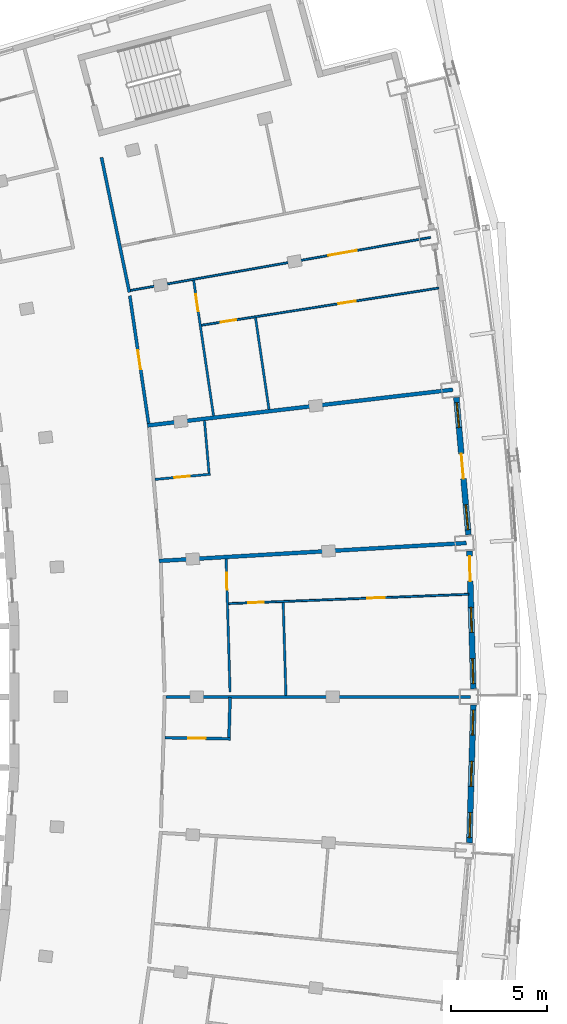
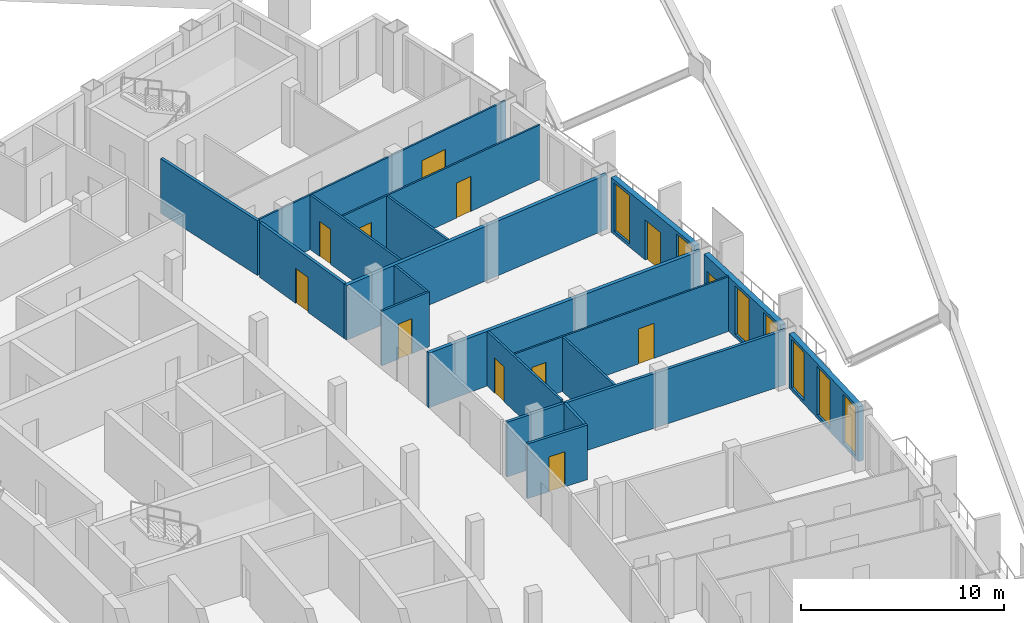
# One storey, part 12 of 16: 19 walls, 12 doors, 7 windows, 19 openings.
"""IFC4 building model written with IfcOpenShell, lengths in metres."""

from ifc_helpers import new_model, si_unit, direction, frame, frame_2d, origin, place, context, subcontext, project, spatial, rectangle, extrude, material, layer, layer_set, type_object, element, fill, save


model = new_model("IFC4")

# Units and contexts
model_context = context("Model", 3, precision=1e-05, world=origin(), true_north=direction((0.0, 1.0)))
body_context = subcontext(model_context, "Body", "Model", "MODEL_VIEW")
ifc_project = project(units=[si_unit("LENGTHUNIT", "METRE"), si_unit("AREAUNIT", "SQUARE_METRE"), si_unit("VOLUMEUNIT", "CUBIC_METRE"), si_unit("PLANEANGLEUNIT", "RADIAN"), si_unit("MASSUNIT", "GRAM", prefix="KILO")], contexts=[model_context])

# Site, building, storey
site_placement = place(None, origin())
site = spatial("IfcSite", under=ifc_project, at=site_placement, CompositionType="ELEMENT")
building_placement = place(site_placement, origin())
building = spatial("IfcBuilding", under=site, at=building_placement, Name="Alderwake Tower", CompositionType="ELEMENT")
storey_placement = place(building_placement, frame((0.0, 0.0, 245.60009765625)))
storey = spatial("IfcBuildingStorey", under=building, at=storey_placement, Name="L60", CompositionType="ELEMENT", Elevation=245.60009765625)

# Wall
ifc_material_1 = material(Name="Gypsum board on metal studs, rated")
ifc_layer_1 = layer(ifc_material_1, 0.159912109375)
ifc_layer_set_1 = layer_set([ifc_layer_1], Name="Corridor wall 160")
wall_type_1 = type_object("IfcWallType", Name="Corridor wall 160", PredefinedType="PARTITIONING", material=ifc_layer_set_1)
wall_1_placement = place(storey_placement, frame((39.3642578125, 82.022705078125, 0.0), z_axis=(0.0, 0.0, 1.0), x_axis=(-0.202409142021, 0.979301046271, 0.0)))
element("IfcWall", 1, at=wall_1_placement, inside=storey, type_object=wall_type_1, Name="WL/L60/W20", PredefinedType="PARTITIONING", context=body_context, shape_type="SweptSolid", body=[
    extrude(rectangle(XDim=7.150146484375, YDim=0.159912109375, at=frame_2d((3.5751953125, 0.0))), origin(), (0.0, 0.0, 1.0), 3.27978515625),
])

# Wall, opening, door
wall_2_placement = place(storey_placement, frame((39.38671875, 81.837158203125, 0.0), z_axis=(0.0, 0.0, 1.0), x_axis=(0.145576845789, -0.989346947218, 0.0)))
wall_2 = element("IfcWall", 2, at=wall_2_placement, inside=storey, type_object=wall_type_1, Name="WL/L60/W22", PredefinedType="PARTITIONING", context=body_context, shape_type="SweptSolid", body=[
    extrude(rectangle(XDim=6.701416015625, YDim=0.159912109375, at=frame_2d((3.3505859375, 0.0))), origin(), (0.0, 0.0, 1.0), 3.27978515625),
])
opening_1_placement = place(wall_2_placement, frame((2.850830078125, 0.0, 0.0)))
opening_1 = element("IfcOpeningElement", 3, at=opening_1_placement, cuts=wall_2, Name="Opening R17-U07.1", PredefinedType="OPENING", context=body_context, shape_type="SweptSolid", body=[
    extrude(rectangle(XDim=1.0, YDim=2.10009765625, at=frame_2d((0.5, 1.050048828125))), frame((0.0, 0.08984375, 0.0), z_axis=(0.0, -1.0, 0.0), x_axis=(1.0, 0.0, 0.0)), (0.0, 0.0, 1.0), 0.179931640625),
])
ifc_material_2 = material(Name="Solid timber leaf in steel frame", Category="steel")
door_type_1 = type_object("IfcDoorType", Name="Flat entrance door 1000 fire-rated", OperationType="SINGLE_SWING_LEFT", PredefinedType="DOOR", material=ifc_material_2)
door_1_placement = place(opening_1_placement, origin())
door_1 = element("IfcDoor", 4, at=door_1_placement, inside=storey, type_object=door_type_1, Name="DR/L60/U07.1", OperationType="SINGLE_SWING_LEFT", OverallHeight=2.10009765625, OverallWidth=1.0, PredefinedType="DOOR", context=body_context, shape_type="SweptSolid", body=[
    extrude(rectangle(XDim=1.0, YDim=2.10009765625, at=frame_2d((0.5, 1.050048828125))), frame((0.0, 0.02490234375, 0.0), z_axis=(0.0, -1.0, 0.0), x_axis=(1.0, 0.0, 0.0)), (0.0, 0.0, 1.0), 0.050048828125),
])
fill(opening_1, door_1)

# Wall
wall_3_placement = place(storey_placement, frame((57.09912109375, 60.9990234375, 0.0), z_axis=(0.0, 0.0, 1.0), x_axis=(-1.0, 0.0, 0.0)))
element("IfcWall", 5, at=wall_3_placement, inside=storey, type_object=wall_type_1, Name="WL/L60/W27", PredefinedType="PARTITIONING", context=body_context, shape_type="SweptSolid", body=[
    extrude(rectangle(XDim=15.820068359375, YDim=0.159912109375, at=frame_2d((7.91015625, 0.0))), origin(), (0.0, 0.0, 1.0), 3.27978515625),
])

# Wall, openings, windows
ifc_material_3 = material(Name="Precast concrete C50/60 spandrel panel", Category="concrete")
ifc_layer_2 = layer(ifc_material_3, 0.300048828125)
ifc_layer_set_2 = layer_set([ifc_layer_2], Name="External wall EW1 Precast concrete C50/60 spandrel")
wall_type_2 = type_object("IfcWallType", Name="External wall EW1 Precast concrete C50/60 spandrel", PredefinedType="SOLIDWALL", material=ifc_layer_set_2)
wall_4_placement = place(storey_placement, frame((57.02880859375, 53.419921875, 0.0), z_axis=(0.0, 0.0, 1.0), x_axis=(0.029180665561, 0.999574153706, 0.0)))
wall_4 = element("IfcWall", 6, at=wall_4_placement, inside=storey, type_object=wall_type_2, Name="External wall 15", PredefinedType="SOLIDWALL", context=body_context, shape_type="SweptSolid", body=[
    extrude(rectangle(XDim=7.16162109375, YDim=0.300048828125, at=frame_2d((3.580810546875, 0.0))), origin(), (0.0, 0.0, 1.0), 3.27978515625),
])
opening_2_placement = place(wall_4_placement, frame((0.267333984375, 0.0, 0.199951171875)))
opening_2 = element("IfcOpeningElement", 7, at=opening_2_placement, cuts=wall_4, Name="Opening W1", PredefinedType="OPENING", context=body_context, shape_type="SweptSolid", body=[
    extrude(rectangle(XDim=1.300048828125, YDim=2.89990234375, at=frame_2d((0.64990234375, 1.449951171875))), frame((0.0, 0.159912109375, 0.0), z_axis=(0.0, -1.0, 0.0), x_axis=(1.0, 0.0, 0.0)), (0.0, 0.0, 1.0), 0.320068359375),
])
opening_3_placement = place(wall_4_placement, frame((2.930908203125, 0.0, 0.199951171875)))
opening_3 = element("IfcOpeningElement", 8, at=opening_3_placement, cuts=wall_4, Name="Opening W1", PredefinedType="OPENING", context=body_context, shape_type="SweptSolid", body=[
    extrude(rectangle(XDim=1.300048828125, YDim=2.89990234375, at=frame_2d((0.64990234375, 1.449951171875))), frame((0.0, 0.159912109375, 0.0), z_axis=(0.0, -1.0, 0.0), x_axis=(1.0, 0.0, 0.0)), (0.0, 0.0, 1.0), 0.320068359375),
])
opening_4_placement = place(wall_4_placement, frame((5.59423828125, 0.0, 0.199951171875)))
opening_4 = element("IfcOpeningElement", 9, at=opening_4_placement, cuts=wall_4, Name="Opening W1", PredefinedType="OPENING", context=body_context, shape_type="SweptSolid", body=[
    extrude(rectangle(XDim=1.300048828125, YDim=2.89990234375, at=frame_2d((0.64990234375, 1.449951171875))), frame((0.0, 0.159912109375, 0.0), z_axis=(0.0, -1.0, 0.0), x_axis=(1.0, 0.0, 0.0)), (0.0, 0.0, 1.0), 0.320068359375),
])
ifc_material_4 = material(Name="Bronze tinted glass in aluminium frame", Category="aluminium")
window_type = type_object("IfcWindowType", Name="Window W1 tall fixed and vent", PartitioningType="DOUBLE_PANEL_VERTICAL", PredefinedType="WINDOW", material=ifc_material_4)
window_1_placement = place(opening_2_placement, origin())
window_1 = element("IfcWindow", 10, at=window_1_placement, inside=storey, type_object=window_type, Name="Window W1 tall fixed and vent", OverallHeight=2.89990234375, OverallWidth=1.300048828125, PartitioningType="DOUBLE_PANEL_VERTICAL", PredefinedType="WINDOW", context=body_context, shape_type="SweptSolid", body=[
    extrude(rectangle(XDim=1.300048828125, YDim=2.89990234375, at=frame_2d((0.64990234375, 1.449951171875))), frame((0.0, 0.030029296875, 0.0), z_axis=(0.0, -1.0, 0.0), x_axis=(1.0, 0.0, 0.0)), (0.0, 0.0, 1.0), 0.06005859375),
])
fill(opening_2, window_1)
window_2_placement = place(opening_3_placement, origin())
window_2 = element("IfcWindow", 11, at=window_2_placement, inside=storey, type_object=window_type, Name="Window W1 tall fixed and vent", OverallHeight=2.89990234375, OverallWidth=1.300048828125, PartitioningType="DOUBLE_PANEL_VERTICAL", PredefinedType="WINDOW", context=body_context, shape_type="SweptSolid", body=[
    extrude(rectangle(XDim=1.300048828125, YDim=2.89990234375, at=frame_2d((0.64990234375, 1.449951171875))), frame((0.0, 0.030029296875, 0.0), z_axis=(0.0, -1.0, 0.0), x_axis=(1.0, 0.0, 0.0)), (0.0, 0.0, 1.0), 0.06005859375),
])
fill(opening_3, window_2)
window_3_placement = place(opening_4_placement, origin())
window_3 = element("IfcWindow", 12, at=window_3_placement, inside=storey, type_object=window_type, Name="Window W1 tall fixed and vent", OverallHeight=2.89990234375, OverallWidth=1.300048828125, PartitioningType="DOUBLE_PANEL_VERTICAL", PredefinedType="WINDOW", context=body_context, shape_type="SweptSolid", body=[
    extrude(rectangle(XDim=1.300048828125, YDim=2.89990234375, at=frame_2d((0.64990234375, 1.449951171875))), frame((0.0, 0.030029296875, 0.0), z_axis=(0.0, -1.0, 0.0), x_axis=(1.0, 0.0, 0.0)), (0.0, 0.0, 1.0), 0.06005859375),
])
fill(opening_4, window_3)

# Wall, openings, door, windows
wall_5_placement = place(storey_placement, frame((57.23779296875, 61.42138671875, 0.0), z_axis=(0.0, 0.0, 1.0), x_axis=(-0.029180665561, 0.999574153706, 0.0)))
wall_5 = element("IfcWall", 13, at=wall_5_placement, inside=storey, type_object=wall_type_2, Name="External wall 16", PredefinedType="SOLIDWALL", context=body_context, shape_type="SweptSolid", body=[
    extrude(rectangle(XDim=7.16162109375, YDim=0.300048828125, at=frame_2d((3.580810546875, 0.0))), origin(), (0.0, 0.0, 1.0), 3.27978515625),
])
opening_5_placement = place(wall_5_placement, frame((0.267333984375, 0.0, 0.199951171875)))
opening_5 = element("IfcOpeningElement", 14, at=opening_5_placement, cuts=wall_5, Name="Opening W1", PredefinedType="OPENING", context=body_context, shape_type="SweptSolid", body=[
    extrude(rectangle(XDim=1.300048828125, YDim=2.89990234375, at=frame_2d((0.64990234375, 1.449951171875))), frame((0.0, 0.159912109375, 0.0), z_axis=(0.0, -1.0, 0.0), x_axis=(1.0, 0.0, 0.0)), (0.0, 0.0, 1.0), 0.320068359375),
])
opening_6_placement = place(wall_5_placement, frame((2.930908203125, 0.0, 0.199951171875)))
opening_6 = element("IfcOpeningElement", 15, at=opening_6_placement, cuts=wall_5, Name="Opening W1", PredefinedType="OPENING", context=body_context, shape_type="SweptSolid", body=[
    extrude(rectangle(XDim=1.300048828125, YDim=2.89990234375, at=frame_2d((0.64990234375, 1.449951171875))), frame((0.0, 0.159912109375, 0.0), z_axis=(0.0, -1.0, 0.0), x_axis=(1.0, 0.0, 0.0)), (0.0, 0.0, 1.0), 0.320068359375),
])
opening_7_placement = place(wall_5_placement, frame((5.59423828125, 0.0, 0.0)))
opening_7 = element("IfcOpeningElement", 16, at=opening_7_placement, cuts=wall_5, Name="Opening D05", PredefinedType="OPENING", context=body_context, shape_type="SweptSolid", body=[
    extrude(rectangle(XDim=1.300048828125, YDim=2.39990234375, at=frame_2d((0.64990234375, 1.199951171875))), frame((0.0, 0.159912109375, 0.0), z_axis=(0.0, -1.0, 0.0), x_axis=(1.0, 0.0, 0.0)), (0.0, 0.0, 1.0), 0.320068359375),
])
ifc_material_5 = material(Name="Bronze tinted glass in aluminium frame", Category="aluminium")
door_type_2 = type_object("IfcDoorType", Name="Balcony door BD sliding", OperationType="SLIDING_TO_LEFT", PredefinedType="DOOR", material=ifc_material_5)
door_2_placement = place(opening_7_placement, origin())
door_2 = element("IfcDoor", 17, at=door_2_placement, inside=storey, type_object=door_type_2, Name="Door D05", OperationType="SLIDING_TO_LEFT", OverallHeight=2.39990234375, OverallWidth=1.300048828125, PredefinedType="DOOR", context=body_context, shape_type="SweptSolid", body=[
    extrude(rectangle(XDim=1.300048828125, YDim=2.39990234375, at=frame_2d((0.64990234375, 1.199951171875))), frame((0.0, 0.02490234375, 0.0), z_axis=(0.0, -1.0, 0.0), x_axis=(1.0, 0.0, 0.0)), (0.0, 0.0, 1.0), 0.050048828125),
])
fill(opening_7, door_2)
window_4_placement = place(opening_5_placement, origin())
window_4 = element("IfcWindow", 18, at=window_4_placement, inside=storey, type_object=window_type, Name="Window W1 tall fixed and vent", OverallHeight=2.89990234375, OverallWidth=1.300048828125, PartitioningType="DOUBLE_PANEL_VERTICAL", PredefinedType="WINDOW", context=body_context, shape_type="SweptSolid", body=[
    extrude(rectangle(XDim=1.300048828125, YDim=2.89990234375, at=frame_2d((0.64990234375, 1.449951171875))), frame((0.0, 0.030029296875, 0.0), z_axis=(0.0, -1.0, 0.0), x_axis=(1.0, 0.0, 0.0)), (0.0, 0.0, 1.0), 0.06005859375),
])
fill(opening_5, window_4)
window_5_placement = place(opening_6_placement, origin())
window_5 = element("IfcWindow", 19, at=window_5_placement, inside=storey, type_object=window_type, Name="Window W1 tall fixed and vent", OverallHeight=2.89990234375, OverallWidth=1.300048828125, PartitioningType="DOUBLE_PANEL_VERTICAL", PredefinedType="WINDOW", context=body_context, shape_type="SweptSolid", body=[
    extrude(rectangle(XDim=1.300048828125, YDim=2.89990234375, at=frame_2d((0.64990234375, 1.449951171875))), frame((0.0, 0.030029296875, 0.0), z_axis=(0.0, -1.0, 0.0), x_axis=(1.0, 0.0, 0.0)), (0.0, 0.0, 1.0), 0.06005859375),
])
fill(opening_6, window_5)

wall_6_placement = place(storey_placement, frame((56.979736328125, 69.421875, 0.0), z_axis=(0.0, 0.0, 1.0), x_axis=(-0.087406300702, 0.99617274536, 0.0)))
wall_6 = element("IfcWall", 20, at=wall_6_placement, inside=storey, type_object=wall_type_2, Name="External wall 17", PredefinedType="SOLIDWALL", context=body_context, shape_type="SweptSolid", body=[
    extrude(rectangle(XDim=7.16162109375, YDim=0.300048828125, at=frame_2d((3.580810546875, 0.0))), origin(), (0.0, 0.0, 1.0), 3.27978515625),
])
opening_8_placement = place(wall_6_placement, frame((0.267333984375, 0.0, 0.199951171875)))
opening_8 = element("IfcOpeningElement", 21, at=opening_8_placement, cuts=wall_6, Name="Opening W1", PredefinedType="OPENING", context=body_context, shape_type="SweptSolid", body=[
    extrude(rectangle(XDim=1.300048828125, YDim=2.89990234375, at=frame_2d((0.64990234375, 1.449951171875))), frame((0.0, 0.159912109375, 0.0), z_axis=(0.0, -1.0, 0.0), x_axis=(1.0, 0.0, 0.0)), (0.0, 0.0, 1.0), 0.320068359375),
])
opening_9_placement = place(wall_6_placement, frame((2.930908203125, 0.0, 0.0)))
opening_9 = element("IfcOpeningElement", 22, at=opening_9_placement, cuts=wall_6, Name="Opening D06", PredefinedType="OPENING", context=body_context, shape_type="SweptSolid", body=[
    extrude(rectangle(XDim=1.300048828125, YDim=2.39990234375, at=frame_2d((0.64990234375, 1.199951171875))), frame((0.0, 0.159912109375, 0.0), z_axis=(0.0, -1.0, 0.0), x_axis=(1.0, 0.0, 0.0)), (0.0, 0.0, 1.0), 0.320068359375),
])
opening_10_placement = place(wall_6_placement, frame((5.594482421875, 0.0, 0.199951171875)))
opening_10 = element("IfcOpeningElement", 23, at=opening_10_placement, cuts=wall_6, Name="Opening W1", PredefinedType="OPENING", context=body_context, shape_type="SweptSolid", body=[
    extrude(rectangle(XDim=1.300048828125, YDim=2.89990234375, at=frame_2d((0.64990234375, 1.449951171875))), frame((0.0, 0.159912109375, 0.0), z_axis=(0.0, -1.0, 0.0), x_axis=(1.0, 0.0, 0.0)), (0.0, 0.0, 1.0), 0.320068359375),
])
door_3_placement = place(opening_9_placement, origin())
door_3 = element("IfcDoor", 24, at=door_3_placement, inside=storey, type_object=door_type_2, Name="Door D06", OperationType="SLIDING_TO_LEFT", OverallHeight=2.39990234375, OverallWidth=1.300048828125, PredefinedType="DOOR", context=body_context, shape_type="SweptSolid", body=[
    extrude(rectangle(XDim=1.300048828125, YDim=2.39990234375, at=frame_2d((0.64990234375, 1.199951171875))), frame((0.0, 0.02490234375, 0.0), z_axis=(0.0, -1.0, 0.0), x_axis=(1.0, 0.0, 0.0)), (0.0, 0.0, 1.0), 0.050048828125),
])
fill(opening_9, door_3)
window_6_placement = place(opening_8_placement, origin())
window_6 = element("IfcWindow", 25, at=window_6_placement, inside=storey, type_object=window_type, Name="Window W1 tall fixed and vent", OverallHeight=2.89990234375, OverallWidth=1.300048828125, PartitioningType="DOUBLE_PANEL_VERTICAL", PredefinedType="WINDOW", context=body_context, shape_type="SweptSolid", body=[
    extrude(rectangle(XDim=1.300048828125, YDim=2.89990234375, at=frame_2d((0.64990234375, 1.449951171875))), frame((0.0, 0.030029296875, 0.0), z_axis=(0.0, -1.0, 0.0), x_axis=(1.0, 0.0, 0.0)), (0.0, 0.0, 1.0), 0.06005859375),
])
fill(opening_8, window_6)
window_7_placement = place(opening_10_placement, origin())
window_7 = element("IfcWindow", 26, at=window_7_placement, inside=storey, type_object=window_type, Name="Window W1 tall fixed and vent", OverallHeight=2.89990234375, OverallWidth=1.300048828125, PartitioningType="DOUBLE_PANEL_VERTICAL", PredefinedType="WINDOW", context=body_context, shape_type="SweptSolid", body=[
    extrude(rectangle(XDim=1.300048828125, YDim=2.89990234375, at=frame_2d((0.64990234375, 1.449951171875))), frame((0.0, 0.030029296875, 0.0), z_axis=(0.0, -1.0, 0.0), x_axis=(1.0, 0.0, 0.0)), (0.0, 0.0, 1.0), 0.06005859375),
])
fill(opening_10, window_7)

# Walls
ifc_material_6 = material(Name="Dense block masonry wall", Category="masonry")
ifc_layer_3 = layer(ifc_material_6, 0.199951171875)
ifc_layer_set_3 = layer_set([ifc_layer_3], Name="Party wall 200")
wall_type_3 = type_object("IfcWallType", Name="Party wall 200", PredefinedType="SOLIDWALL", material=ifc_layer_set_3)
for number, where, z_axis, x_axis, name in (
    (27, (40.297607421875, 75.0986328125, 0.0), (0.0, 0.0, 1.0), (0.993200362616, 0.11641752316, 0.0), "WL/L60/W01"),
    (28, (56.867919921875, 68.993896484375, 0.0), (0.0, 0.0, 1.0), (-0.998299097352, -0.058300190617, 0.0), "WL/L60/W03"),
):
    element("IfcWall", number, at=place(storey_placement, frame(where, z_axis=z_axis, x_axis=x_axis)), inside=storey, type_object=wall_type_3, Name=name, PredefinedType="SOLIDWALL", context=body_context, shape_type="SweptSolid", body=[
        extrude(rectangle(XDim=15.97998046875, YDim=0.199951171875, at=frame_2d((7.989990234375, 0.0))), origin(), (0.0, 0.0, 1.0), 3.27978515625),
    ])

# Wall, opening, door
ifc_material_7 = material(Name="Gypsum shaft wall system, rated")
ifc_layer_4 = layer(ifc_material_7, 0.14990234375)
ifc_layer_set_4 = layer_set([ifc_layer_4], Name="Riser and shaft wall 150")
wall_type_4 = type_object("IfcWallType", Name="Riser and shaft wall 150", PredefinedType="PARTITIONING", material=ifc_layer_set_4)
wall_7_placement = place(storey_placement, frame((41.218994140625, 58.879638671875, 0.0), z_axis=(0.0, 0.0, 1.0), x_axis=(0.999843204507, -0.017707806214, 0.0)))
wall_7 = element("IfcWall", 29, at=wall_7_placement, inside=storey, type_object=wall_type_4, Name="WL/L60/W06", PredefinedType="PARTITIONING", context=body_context, shape_type="SweptSolid", body=[
    extrude(rectangle(XDim=3.3916015625, YDim=0.14990234375, at=frame_2d((1.69580078125, 0.0))), origin(), (0.0, 0.0, 1.0), 3.27978515625),
])
opening_11_placement = place(wall_7_placement, frame((1.208984375, 0.0, 0.0)))
opening_11 = element("IfcOpeningElement", 30, at=opening_11_placement, cuts=wall_7, Name="Opening R17-AM1.2", PredefinedType="OPENING", context=body_context, shape_type="SweptSolid", body=[
    extrude(rectangle(XDim=0.89990234375, YDim=2.10009765625, at=frame_2d((0.449951171875, 1.050048828125))), frame((0.0, 0.0849609375, 0.0), z_axis=(0.0, -1.0, 0.0), x_axis=(1.0, 0.0, 0.0)), (0.0, 0.0, 1.0), 0.169921875),
])
ifc_material_8 = material(Name="Painted timber leaf", Category="wood")
door_type_3 = type_object("IfcDoorType", Name="Room door 900", OperationType="SINGLE_SWING_LEFT", PredefinedType="DOOR", material=ifc_material_8)
door_4_placement = place(opening_11_placement, origin())
door_4 = element("IfcDoor", 31, at=door_4_placement, inside=storey, type_object=door_type_3, Name="DR/L60/AM1.2", OperationType="SINGLE_SWING_LEFT", OverallHeight=2.10009765625, OverallWidth=0.89990234375, PredefinedType="DOOR", context=body_context, shape_type="SweptSolid", body=[
    extrude(rectangle(XDim=0.89990234375, YDim=2.10009765625, at=frame_2d((0.449951171875, 1.050048828125))), frame((0.0, 0.02490234375, 0.0), z_axis=(0.0, -1.0, 0.0), x_axis=(1.0, 0.0, 0.0)), (0.0, 0.0, 1.0), 0.050048828125),
])
fill(opening_11, door_4)

# Wall
wall_8_placement = place(storey_placement, frame((44.537353515625, 58.89599609375, 0.0), z_axis=(0.0, 0.0, 1.0), x_axis=(0.030225283969, 0.999543111731, 0.0)))
element("IfcWall", 32, at=wall_8_placement, inside=storey, type_object=wall_type_4, Name="WL/L60/W07", PredefinedType="PARTITIONING", context=body_context, shape_type="SweptSolid", body=[
    extrude(rectangle(XDim=2.083984375, YDim=0.14990234375, at=frame_2d((1.0419921875, 0.0))), origin(), (0.0, 0.0, 1.0), 3.27978515625),
])

# Wall, opening, door
ifc_material_9 = material(Name="Gypsum board on metal studs")
ifc_layer_5 = layer(ifc_material_9, 0.10009765625)
ifc_layer_set_5 = layer_set([ifc_layer_5], Name="Unit partition 100")
wall_type_5 = type_object("IfcWallType", Name="Unit partition 100", PredefinedType="PARTITIONING", material=ifc_layer_set_5)
wall_9_placement = place(storey_placement, frame((39.4267578125, 82.114990234375, 0.0), z_axis=(0.0, 0.0, 1.0), x_axis=(0.984718082125, 0.174155960957, 0.0)))
wall_9 = element("IfcWall", 33, at=wall_9_placement, inside=storey, type_object=wall_type_5, Name="WL/L60/W45", PredefinedType="PARTITIONING", context=body_context, shape_type="SweptSolid", body=[
    extrude(rectangle(XDim=15.81982421875, YDim=0.10009765625, at=frame_2d((7.909912109375, 0.0))), origin(), (0.0, 0.0, 1.0), 3.27978515625),
])
opening_12_placement = place(wall_9_placement, frame((10.43408203125, 0.0, 0.0)))
opening_12 = element("IfcOpeningElement", 34, at=opening_12_placement, cuts=wall_9, Name="Opening R17-U07.8", PredefinedType="OPENING", context=body_context, shape_type="SweptSolid", body=[
    extrude(rectangle(XDim=1.5, YDim=2.10009765625, at=frame_2d((0.75, 1.050048828125))), frame((0.0, 0.06005859375, 0.0), z_axis=(0.0, -1.0, 0.0), x_axis=(1.0, 0.0, 0.0)), (0.0, 0.0, 1.0), 0.1201171875),
])
ifc_material_10 = material(Name="Painted timber leaves", Category="wood")
door_type_4 = type_object("IfcDoorType", Name="Double leaf door 1500", OperationType="DOUBLE_DOOR_SINGLE_SWING", PredefinedType="DOOR", material=ifc_material_10)
door_5_placement = place(opening_12_placement, origin())
door_5 = element("IfcDoor", 35, at=door_5_placement, inside=storey, type_object=door_type_4, Name="DR/L60/U07.8", OperationType="DOUBLE_DOOR_SINGLE_SWING", OverallHeight=2.10009765625, OverallWidth=1.5, PredefinedType="DOOR", context=body_context, shape_type="SweptSolid", body=[
    extrude(rectangle(XDim=1.5, YDim=2.10009765625, at=frame_2d((0.75, 1.050048828125))), frame((0.0, 0.02490234375, 0.0), z_axis=(0.0, -1.0, 0.0), x_axis=(1.0, 0.0, 0.0)), (0.0, 0.0, 1.0), 0.050048828125),
])
fill(opening_12, door_5)

# Wall, openings, doors
wall_10_placement = place(storey_placement, frame((55.43994140625, 82.241943359375, 0.0), z_axis=(0.0, 0.0, 1.0), x_axis=(-0.98791506343, -0.154996217531, 0.0)))
wall_10 = element("IfcWall", 36, at=wall_10_placement, inside=storey, type_object=wall_type_5, Name="WL/L60/W49", PredefinedType="PARTITIONING", context=body_context, shape_type="SweptSolid", body=[
    extrude(rectangle(XDim=12.4814453125, YDim=0.10009765625, at=frame_2d((6.24072265625, 0.0))), origin(), (0.0, 0.0, 1.0), 3.27978515625),
])
opening_13_placement = place(wall_10_placement, frame((10.66259765625, 0.0, 0.0)))
opening_13 = element("IfcOpeningElement", 37, at=opening_13_placement, cuts=wall_10, Name="Opening R17-U07.3", PredefinedType="OPENING", context=body_context, shape_type="SweptSolid", body=[
    extrude(rectangle(XDim=0.800048828125, YDim=2.10009765625, at=frame_2d((0.39990234375, 1.050048828125))), frame((0.0, 0.06005859375, 0.0), z_axis=(0.0, -1.0, 0.0), x_axis=(1.0, 0.0, 0.0)), (0.0, 0.0, 1.0), 0.1201171875),
])
opening_14_placement = place(wall_10_placement, frame((4.371826171875, 0.0, 0.0)))
opening_14 = element("IfcOpeningElement", 38, at=opening_14_placement, cuts=wall_10, Name="Opening R17-U07.4", PredefinedType="OPENING", context=body_context, shape_type="SweptSolid", body=[
    extrude(rectangle(XDim=0.89990234375, YDim=2.10009765625, at=frame_2d((0.449951171875, 1.050048828125))), frame((0.0, 0.06005859375, 0.0), z_axis=(0.0, -1.0, 0.0), x_axis=(1.0, 0.0, 0.0)), (0.0, 0.0, 1.0), 0.1201171875),
])
ifc_material_11 = material(Name="Painted timber leaf", Category="wood")
door_type_5 = type_object("IfcDoorType", Name="Bathroom door 800", OperationType="SINGLE_SWING_LEFT", PredefinedType="DOOR", material=ifc_material_11)
door_6_placement = place(opening_13_placement, origin())
door_6 = element("IfcDoor", 39, at=door_6_placement, inside=storey, type_object=door_type_5, Name="DR/L60/U07.3", OperationType="SINGLE_SWING_LEFT", OverallHeight=2.10009765625, OverallWidth=0.800048828125, PredefinedType="DOOR", context=body_context, shape_type="SweptSolid", body=[
    extrude(rectangle(XDim=0.800048828125, YDim=2.10009765625, at=frame_2d((0.39990234375, 1.050048828125))), frame((0.0, 0.02490234375, 0.0), z_axis=(0.0, -1.0, 0.0), x_axis=(1.0, 0.0, 0.0)), (0.0, 0.0, 1.0), 0.050048828125),
])
fill(opening_13, door_6)
door_7_placement = place(opening_14_placement, origin())
door_7 = element("IfcDoor", 40, at=door_7_placement, inside=storey, type_object=door_type_3, Name="DR/L60/U07.4", OperationType="SINGLE_SWING_LEFT", OverallHeight=2.10009765625, OverallWidth=0.89990234375, PredefinedType="DOOR", context=body_context, shape_type="SweptSolid", body=[
    extrude(rectangle(XDim=0.89990234375, YDim=2.10009765625, at=frame_2d((0.449951171875, 1.050048828125))), frame((0.0, 0.02490234375, 0.0), z_axis=(0.0, -1.0, 0.0), x_axis=(1.0, 0.0, 0.0)), (0.0, 0.0, 1.0), 0.050048828125),
])
fill(opening_14, door_7)

wall_11_placement = place(storey_placement, frame((56.993896484375, 66.330078125, 0.0), z_axis=(0.0, 0.0, 1.0), x_axis=(-0.999248438224, -0.038762852143, 0.0)))
wall_11 = element("IfcWall", 41, at=wall_11_placement, inside=storey, type_object=wall_type_5, Name="WL/L60/W51", PredefinedType="PARTITIONING", context=body_context, shape_type="SweptSolid", body=[
    extrude(rectangle(XDim=12.483154296875, YDim=0.10009765625, at=frame_2d((6.24169921875, 0.0))), origin(), (0.0, 0.0, 1.0), 3.27978515625),
])
opening_15_placement = place(wall_11_placement, frame((10.66455078125, 0.0, 0.0)))
opening_15 = element("IfcOpeningElement", 42, at=opening_15_placement, cuts=wall_11, Name="Opening R17-U05.3", PredefinedType="OPENING", context=body_context, shape_type="SweptSolid", body=[
    extrude(rectangle(XDim=0.800048828125, YDim=2.10009765625, at=frame_2d((0.39990234375, 1.050048828125))), frame((0.0, 0.06005859375, 0.0), z_axis=(0.0, -1.0, 0.0), x_axis=(1.0, 0.0, 0.0)), (0.0, 0.0, 1.0), 0.1201171875),
])
opening_16_placement = place(wall_11_placement, frame((4.373291015625, 0.0, 0.0)))
opening_16 = element("IfcOpeningElement", 43, at=opening_16_placement, cuts=wall_11, Name="Opening R17-U05.4", PredefinedType="OPENING", context=body_context, shape_type="SweptSolid", body=[
    extrude(rectangle(XDim=0.89990234375, YDim=2.10009765625, at=frame_2d((0.449951171875, 1.050048828125))), frame((0.0, 0.06005859375, 0.0), z_axis=(0.0, -1.0, 0.0), x_axis=(1.0, 0.0, 0.0)), (0.0, 0.0, 1.0), 0.1201171875),
])
door_8_placement = place(opening_15_placement, origin())
door_8 = element("IfcDoor", 44, at=door_8_placement, inside=storey, type_object=door_type_5, Name="DR/L60/U05.3", OperationType="SINGLE_SWING_LEFT", OverallHeight=2.10009765625, OverallWidth=0.800048828125, PredefinedType="DOOR", context=body_context, shape_type="SweptSolid", body=[
    extrude(rectangle(XDim=0.800048828125, YDim=2.10009765625, at=frame_2d((0.39990234375, 1.050048828125))), frame((0.0, 0.02490234375, 0.0), z_axis=(0.0, -1.0, 0.0), x_axis=(1.0, 0.0, 0.0)), (0.0, 0.0, 1.0), 0.050048828125),
])
fill(opening_15, door_8)
door_9_placement = place(opening_16_placement, origin())
door_9 = element("IfcDoor", 45, at=door_9_placement, inside=storey, type_object=door_type_3, Name="DR/L60/U05.4", OperationType="SINGLE_SWING_LEFT", OverallHeight=2.10009765625, OverallWidth=0.89990234375, PredefinedType="DOOR", context=body_context, shape_type="SweptSolid", body=[
    extrude(rectangle(XDim=0.89990234375, YDim=2.10009765625, at=frame_2d((0.449951171875, 1.050048828125))), frame((0.0, 0.02490234375, 0.0), z_axis=(0.0, -1.0, 0.0), x_axis=(1.0, 0.0, 0.0)), (0.0, 0.0, 1.0), 0.050048828125),
])
fill(opening_16, door_9)

# Wall, opening, door
ifc_material_12 = material(Name="Moisture resistant gypsum board on metal studs")
ifc_layer_6 = layer(ifc_material_12, 0.1201171875)
ifc_layer_set_6 = layer_set([ifc_layer_6], Name="Wet room partition 120")
wall_type_6 = type_object("IfcWallType", Name="Wet room partition 120", PredefinedType="PARTITIONING", material=ifc_layer_set_6)
wall_12_placement = place(storey_placement, frame((40.70263671875, 72.298583984375, 0.0), z_axis=(0.0, 0.0, 1.0), x_axis=(0.995654155173, 0.093127886735, 0.0)))
wall_12 = element("IfcWall", 46, at=wall_12_placement, inside=storey, type_object=wall_type_6, Name="WL/L60/W32", PredefinedType="PARTITIONING", context=body_context, shape_type="SweptSolid", body=[
    extrude(rectangle(XDim=2.87841796875, YDim=0.1201171875, at=frame_2d((1.439208984375, 0.0))), origin(), (0.0, 0.0, 1.0), 3.27978515625),
])
opening_17_placement = place(wall_12_placement, frame((1.009521484375, 0.0, 0.0)))
opening_17 = element("IfcOpeningElement", 47, at=opening_17_placement, cuts=wall_12, Name="Opening R17-U06.2", PredefinedType="OPENING", context=body_context, shape_type="SweptSolid", body=[
    extrude(rectangle(XDim=0.800048828125, YDim=2.10009765625, at=frame_2d((0.39990234375, 1.050048828125))), frame((0.0, 0.070068359375, 0.0), z_axis=(0.0, -1.0, 0.0), x_axis=(1.0, 0.0, 0.0)), (0.0, 0.0, 1.0), 0.14013671875),
])
door_10_placement = place(opening_17_placement, origin())
door_10 = element("IfcDoor", 48, at=door_10_placement, inside=storey, type_object=door_type_5, Name="DR/L60/U06.2", OperationType="SINGLE_SWING_LEFT", OverallHeight=2.10009765625, OverallWidth=0.800048828125, PredefinedType="DOOR", context=body_context, shape_type="SweptSolid", body=[
    extrude(rectangle(XDim=0.800048828125, YDim=2.10009765625, at=frame_2d((0.39990234375, 1.050048828125))), frame((0.0, 0.02490234375, 0.0), z_axis=(0.0, -1.0, 0.0), x_axis=(1.0, 0.0, 0.0)), (0.0, 0.0, 1.0), 0.050048828125),
])
fill(opening_17, door_10)

wall_13_placement = place(storey_placement, frame((42.703369140625, 82.6455078125, 0.0), z_axis=(0.0, 0.0, 1.0), x_axis=(0.145290574876, -0.989389028063, 0.0)))
wall_13 = element("IfcWall", 49, at=wall_13_placement, inside=storey, type_object=wall_type_6, Name="WL/L60/W36", PredefinedType="PARTITIONING", context=body_context, shape_type="SweptSolid", body=[
    extrude(rectangle(XDim=7.117919921875, YDim=0.1201171875, at=frame_2d((3.55908203125, 0.0))), origin(), (0.0, 0.0, 1.0), 3.27978515625),
])
opening_18_placement = place(wall_13_placement, frame((0.73681640625, 0.0, 0.0)))
opening_18 = element("IfcOpeningElement", 50, at=opening_18_placement, cuts=wall_13, Name="Opening R17-U07.2", PredefinedType="OPENING", context=body_context, shape_type="SweptSolid", body=[
    extrude(rectangle(XDim=0.89990234375, YDim=2.10009765625, at=frame_2d((0.449951171875, 1.050048828125))), frame((0.0, 0.070068359375, 0.0), z_axis=(0.0, -1.0, 0.0), x_axis=(1.0, 0.0, 0.0)), (0.0, 0.0, 1.0), 0.14013671875),
])
door_11_placement = place(opening_18_placement, origin())
door_11 = element("IfcDoor", 51, at=door_11_placement, inside=storey, type_object=door_type_3, Name="DR/L60/U07.2", OperationType="SINGLE_SWING_LEFT", OverallHeight=2.10009765625, OverallWidth=0.89990234375, PredefinedType="DOOR", context=body_context, shape_type="SweptSolid", body=[
    extrude(rectangle(XDim=0.89990234375, YDim=2.10009765625, at=frame_2d((0.449951171875, 1.050048828125))), frame((0.0, 0.02490234375, 0.0), z_axis=(0.0, -1.0, 0.0), x_axis=(1.0, 0.0, 0.0)), (0.0, 0.0, 1.0), 0.050048828125),
])
fill(opening_18, door_11)

# Wall
wall_14_placement = place(storey_placement, frame((43.50390625, 72.620849609375, 0.0), z_axis=(0.0, 0.0, 1.0), x_axis=(-0.087060721227, 0.996203006831, 0.0)))
element("IfcWall", 52, at=wall_14_placement, inside=storey, type_object=wall_type_6, Name="WL/L60/W38", PredefinedType="PARTITIONING", context=body_context, shape_type="SweptSolid", body=[
    extrude(rectangle(XDim=2.737060546875, YDim=0.1201171875, at=frame_2d((1.36865234375, 0.0))), origin(), (0.0, 0.0, 1.0), 3.27978515625),
])

# Wall, opening, door
wall_15_placement = place(storey_placement, frame((44.390869140625, 68.1650390625, 0.0), z_axis=(0.0, 0.0, 1.0), x_axis=(0.029321285684, -0.99957003867, 0.0)))
wall_15 = element("IfcWall", 53, at=wall_15_placement, inside=storey, type_object=wall_type_6, Name="WL/L60/W40", PredefinedType="PARTITIONING", context=body_context, shape_type="SweptSolid", body=[
    extrude(rectangle(XDim=6.919189453125, YDim=0.1201171875, at=frame_2d((3.45947265625, 0.0))), origin(), (0.0, 0.0, 1.0), 3.27978515625),
])
opening_19_placement = place(wall_15_placement, frame((0.711669921875, 0.0, 0.0)))
opening_19 = element("IfcOpeningElement", 54, at=opening_19_placement, cuts=wall_15, Name="Opening R17-U05.2", PredefinedType="OPENING", context=body_context, shape_type="SweptSolid", body=[
    extrude(rectangle(XDim=0.89990234375, YDim=2.10009765625, at=frame_2d((0.449951171875, 1.050048828125))), frame((0.0, 0.070068359375, 0.0), z_axis=(0.0, -1.0, 0.0), x_axis=(1.0, 0.0, 0.0)), (0.0, 0.0, 1.0), 0.14013671875),
])
door_12_placement = place(opening_19_placement, origin())
door_12 = element("IfcDoor", 55, at=door_12_placement, inside=storey, type_object=door_type_3, Name="DR/L60/U05.2", OperationType="SINGLE_SWING_LEFT", OverallHeight=2.10009765625, OverallWidth=0.89990234375, PredefinedType="DOOR", context=body_context, shape_type="SweptSolid", body=[
    extrude(rectangle(XDim=0.89990234375, YDim=2.10009765625, at=frame_2d((0.449951171875, 1.050048828125))), frame((0.0, 0.02490234375, 0.0), z_axis=(0.0, -1.0, 0.0), x_axis=(1.0, 0.0, 0.0)), (0.0, 0.0, 1.0), 0.050048828125),
])
fill(opening_19, door_12)

# Walls
wall_16_placement = place(storey_placement, frame((46.617431640625, 75.93896484375, 0.0), z_axis=(0.0, 0.0, 1.0), x_axis=(-0.145238137818, 0.989396726962, 0.0)))
element("IfcWall", 56, at=wall_16_placement, inside=storey, type_object=wall_type_6, Name="WL/L60/W42", PredefinedType="PARTITIONING", context=body_context, shape_type="SweptSolid", body=[
    extrude(rectangle(XDim=4.8076171875, YDim=0.1201171875, at=frame_2d((2.40380859375, 0.0))), origin(), (0.0, 0.0, 1.0), 3.27978515625),
])
wall_17_placement = place(storey_placement, frame((47.49658203125, 61.0791015625, 0.0), z_axis=(0.0, 0.0, 1.0), x_axis=(-0.029026061013, 0.999578655125, 0.0)))
element("IfcWall", 57, at=wall_17_placement, inside=storey, type_object=wall_type_6, Name="WL/L60/W43", PredefinedType="PARTITIONING", context=body_context, shape_type="SweptSolid", body=[
    extrude(rectangle(XDim=4.827880859375, YDim=0.1201171875, at=frame_2d((2.4140625, 0.0))), origin(), (0.0, 0.0, 1.0), 3.27978515625),
])

save(model, "model.ifc")
